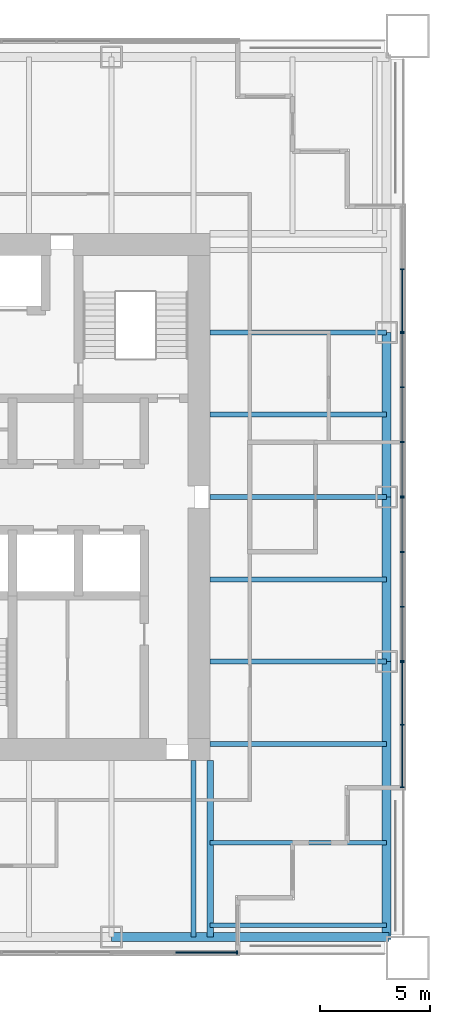
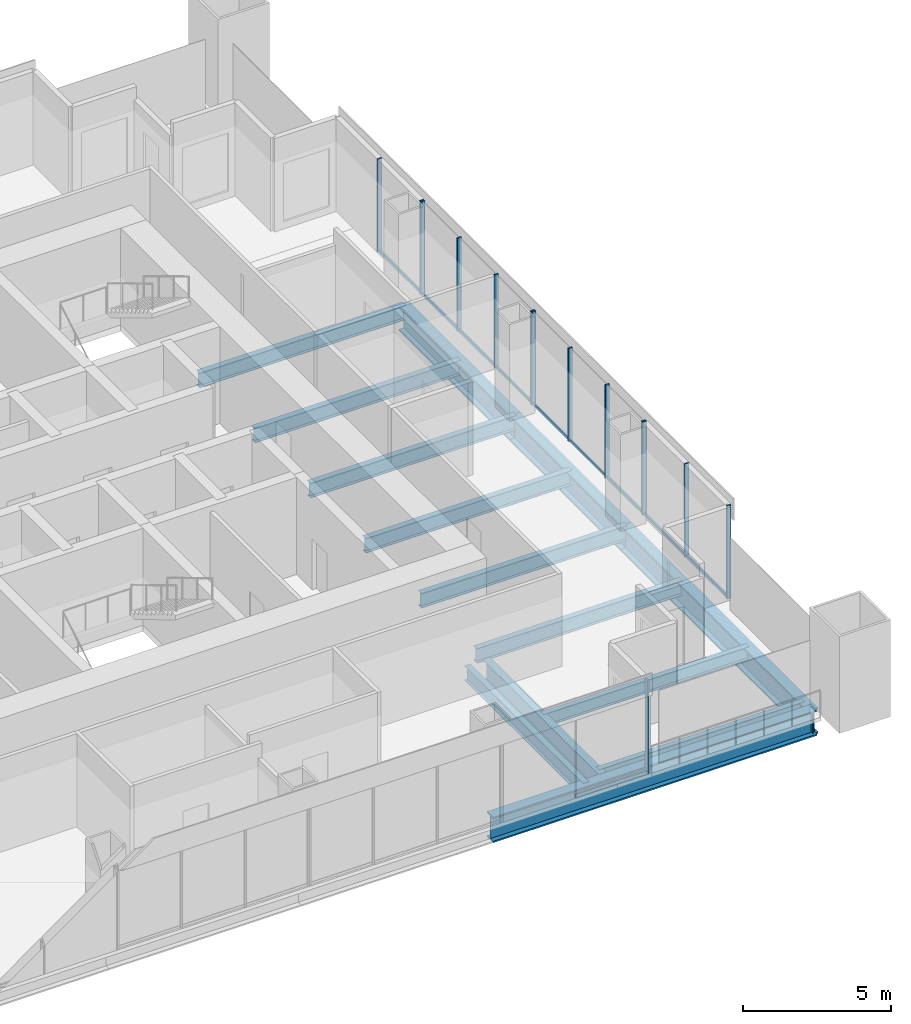
# One storey, part 5 of 14: 24 members, 14 beams, 5 elements without a shape of their own.
"""IFC4 building model written with IfcOpenShell, lengths in metres."""

from ifc_helpers import new_model, si_unit, direction, frame, origin, origin_2d, place, context, subcontext, project, spatial, rectangle, i_section, extrude, material, material_profile, profile_set, type_object, element, aggregate, save


model = new_model("IFC4")

# Units and contexts
model_context = context("Model", 3, precision=1e-05, world=origin(), true_north=direction((0.0, 1.0)))
body_context = subcontext(model_context, "Body", "Model", "MODEL_VIEW")
ifc_project = project(units=[si_unit("LENGTHUNIT", "METRE"), si_unit("AREAUNIT", "SQUARE_METRE"), si_unit("VOLUMEUNIT", "CUBIC_METRE"), si_unit("PLANEANGLEUNIT", "RADIAN"), si_unit("MASSUNIT", "GRAM", prefix="KILO")], contexts=[model_context])

# Site, building, storey
site_placement = place(None, origin())
site = spatial("IfcSite", under=ifc_project, at=site_placement, CompositionType="ELEMENT")
building_placement = place(site_placement, origin())
building = spatial("IfcBuilding", under=site, at=building_placement, Name="Tarangal Relay Tower", CompositionType="ELEMENT")
storey_placement = place(building_placement, frame((0.0, 0.0, 267.89990234375)))
storey = spatial("IfcBuildingStorey", under=building, at=storey_placement, Name="L58", CompositionType="ELEMENT", Elevation=267.89990234375)

# Beams
ifc_material_1 = material(Name="Steel ASTM A992", Category="steel")
ifc_material_profile_1 = material_profile(ifc_material_1, i_section(OverallWidth=0.209228515625, OverallDepth=0.533447265625, WebThickness=0.01025390625, FlangeThickness=0.015625, at=origin_2d()), Name="W21X62")
ifc_profile_set_1 = profile_set([ifc_material_profile_1], Name="Steel ASTM A992")
beam_type_1 = type_object("IfcBeamType", Name="Corner beam W21X62", PredefinedType="JOIST", material=ifc_profile_set_1)
for number, where, z_axis, x_axis, name in (
    (1, (12.0, -15.75, -0.41650390625), (1.0, 0.0, 0.0), (0.0, 1.0, 0.0), "Corner beam CB12 E L58"),
    (2, (12.0, -19.5, -0.41650390625), (1.0, 0.0, 0.0), (0.0, 1.0, 0.0), "Corner beam CB12 E L58"),
):
    element("IfcBeam", number, at=place(storey_placement, frame(where, z_axis=z_axis, x_axis=x_axis)), inside=storey, type_object=beam_type_1, Name=name, PredefinedType="JOIST", context=body_context, shape_type="SweptSolid", body=[
        extrude(i_section(OverallWidth=0.209228515625, OverallDepth=0.533447265625, WebThickness=0.01025390625, FlangeThickness=0.015625, at=origin_2d()), origin(), (0.0, 0.0, 1.0), 8.0400390625),
    ])
ifc_material_profile_2 = material_profile(ifc_material_1, i_section(OverallWidth=0.2919921875, OverallDepth=0.8408203125, WebThickness=0.0146484375, FlangeThickness=0.021728515625, at=origin_2d()), Name="W33X130")
ifc_profile_set_2 = profile_set([ifc_material_profile_2], Name="Steel ASTM A992")
beam_type_2 = type_object("IfcBeamType", Name="Corner girder W33X130", PredefinedType="BEAM", material=ifc_profile_set_2)
beam_placement = place(storey_placement, frame((12.0, -12.0, -0.5703125), z_axis=(0.0, -1.0, 0.0), x_axis=(1.0, 0.0, 0.0)))
element("IfcBeam", 3, at=beam_placement, inside=storey, type_object=beam_type_2, Name="Corner girder CG5 E L58", PredefinedType="BEAM", context=body_context, shape_type="SweptSolid", body=[
    extrude(i_section(OverallWidth=0.2919921875, OverallDepth=0.8408203125, WebThickness=0.0146484375, FlangeThickness=0.021728515625, at=origin_2d()), origin(), (0.0, 0.0, 1.0), 8.0400390625),
])
ifc_material_profile_3 = material_profile(ifc_material_1, i_section(OverallWidth=0.41162109375, OverallDepth=1.049072265625, WebThickness=0.033935546875, FlangeThickness=0.059814453125, at=origin_2d()), Name="W40X431")
ifc_profile_set_3 = profile_set([ifc_material_profile_3], Name="Steel ASTM A992")
beam_type_3 = type_object("IfcBeamType", Name="Edge girder W40X431", PredefinedType="SPANDREL", material=ifc_profile_set_3)
for number, where, z_axis, x_axis, name in (
    (4, (20.0400390625, 7.5, -0.67431640625), (0.0, -1.0, 0.0), (1.0, 0.0, 0.0), "Edge girder EG1 E L58"),
    (5, (20.0400390625, 0.0, -0.67431640625), (0.0, -1.0, 0.0), (1.0, 0.0, 0.0), "Edge girder EG1 E L58"),
):
    element("IfcBeam", number, at=place(storey_placement, frame(where, z_axis=z_axis, x_axis=x_axis)), inside=storey, type_object=beam_type_3, Name=name, PredefinedType="SPANDREL", context=body_context, shape_type="SweptSolid", body=[
        extrude(i_section(OverallWidth=0.41162109375, OverallDepth=1.049072265625, WebThickness=0.033935546875, FlangeThickness=0.059814453125, at=origin_2d()), origin(), (0.0, 0.0, 1.0), 7.5),
    ])
for number, where, z_axis, x_axis, name in (
    (6, (20.0400390625, -7.5, -0.67431640625), (0.0, -1.0, 0.0), (1.0, 0.0, 0.0), "Edge girder EG1 E L58"),
    (7, (20.14990234375, -20.0400390625, -0.67431640625), (-1.0, 0.0, 0.0), (0.0, -1.0, 0.0), "Edge girder EG1 S L58"),
):
    element("IfcBeam", number, at=place(storey_placement, frame(where, z_axis=z_axis, x_axis=x_axis)), inside=storey, type_object=beam_type_3, Name=name, PredefinedType="SPANDREL", context=body_context, shape_type="SweptSolid", body=[
        extrude(i_section(OverallWidth=0.41162109375, OverallDepth=1.049072265625, WebThickness=0.033935546875, FlangeThickness=0.059814453125, at=origin_2d()), origin(), (0.0, 0.0, 1.0), 12.64990234375),
    ])
ifc_material_profile_4 = material_profile(ifc_material_1, i_section(OverallWidth=0.228271484375, OverallDepth=0.607177734375, WebThickness=0.01123046875, FlangeThickness=0.017333984375, at=origin_2d()), Name="W24X76")
ifc_profile_set_4 = profile_set([ifc_material_profile_4], Name="Steel ASTM A992")
beam_type_4 = type_object("IfcBeamType", Name="Floor beam W24X76", PredefinedType="BEAM", material=ifc_profile_set_4)
for number, where, z_axis, x_axis, name in (
    (8, (12.0, 7.5, -0.453369140625), (1.0, 0.0, 0.0), (0.0, 1.0, 0.0), "Floor beam RB5 E L58"),
    (9, (12.0, 3.75, -0.453369140625), (1.0, 0.0, 0.0), (0.0, 1.0, 0.0), "Floor beam RB5 E L58"),
    (10, (12.0, 0.0, -0.453369140625), (1.0, 0.0, 0.0), (0.0, 1.0, 0.0), "Floor beam RB5 E L58"),
    (11, (12.0, -3.75, -0.453369140625), (1.0, 0.0, 0.0), (0.0, 1.0, 0.0), "Floor beam RB5 E L58"),
    (12, (12.0, -7.5, -0.453369140625), (1.0, 0.0, 0.0), (0.0, 1.0, 0.0), "Floor beam RB5 E L58"),
    (13, (12.0, -11.25, -0.453369140625), (1.0, 0.0, 0.0), (0.0, 1.0, 0.0), "Floor beam RB5 E L58"),
    (14, (11.25, -12.0, -0.453369140625), (0.0, -1.0, 0.0), (1.0, 0.0, 0.0), "Floor beam RB5 S L58"),
):
    element("IfcBeam", number, at=place(storey_placement, frame(where, z_axis=z_axis, x_axis=x_axis)), inside=storey, type_object=beam_type_4, Name=name, PredefinedType="BEAM", context=body_context, shape_type="SweptSolid", body=[
        extrude(i_section(OverallWidth=0.228271484375, OverallDepth=0.607177734375, WebThickness=0.01123046875, FlangeThickness=0.017333984375, at=origin_2d()), origin(), (0.0, 0.0, 1.0), 8.0400390625),
    ])

# Curtain wall, members
ifc_material_2 = material(Name="Unitised curtain wall, dark glass and black aluminium", Category="aluminium")
curtain_wall_type_1 = type_object("IfcCurtainWallType", Name="Curtain wall CW-B", PredefinedType="USERDEFINED", material=ifc_material_2)
curtain_wall_1_placement = place(storey_placement, origin())
curtain_wall_1 = element("IfcCurtainWall", 15, at=curtain_wall_1_placement, inside=storey, type_object=curtain_wall_type_1, Name="Curtain wall CW-B E facade L58", ObjectType="UNITISED CURTAIN WALL", PredefinedType="USERDEFINED")
ifc_material_3 = material(Name="Black anodised aluminium mullion", Category="aluminium")
ifc_material_profile_5 = material_profile(ifc_material_3, rectangle(XDim=0.159912109375, YDim=0.06005859375, at=origin_2d()), Name="CW-BM 60X160")
ifc_profile_set_5 = profile_set([ifc_material_profile_5], Name="Black anodised aluminium mullion")
member_type_1 = type_object("IfcMemberType", Name="Mullion CW-B 60 x 160", PredefinedType="MULLION", material=ifc_profile_set_5)
member_1_placement = place(storey_placement, frame((20.75, 7.469970703125, 0.0), z_axis=(0.0, 0.0, 1.0), x_axis=(1.0, 0.0, 0.0)))
member_1 = element("IfcMember", 16, at=member_1_placement, type_object=member_type_1, Name="CW-B mullion 1", PredefinedType="MULLION", context=body_context, shape_type="SweptSolid", body=[
    extrude(rectangle(XDim=0.159912109375, YDim=0.06005859375, at=origin_2d()), origin(), (0.0, 0.0, 1.0), 3.85009765625),
])
member_2_placement = place(storey_placement, frame((20.75, 5.0, 0.0), z_axis=(0.0, 0.0, 1.0), x_axis=(1.0, 0.0, 0.0)))
member_2 = element("IfcMember", 17, at=member_2_placement, type_object=member_type_1, Name="CW-B mullion 2", PredefinedType="MULLION", context=body_context, shape_type="SweptSolid", body=[
    extrude(rectangle(XDim=0.159912109375, YDim=0.06005859375, at=origin_2d()), origin(), (0.0, 0.0, 1.0), 3.85009765625),
])
member_3_placement = place(storey_placement, frame((20.75, 2.5, 0.0), z_axis=(0.0, 0.0, 1.0), x_axis=(1.0, 0.0, 0.0)))
member_3 = element("IfcMember", 18, at=member_3_placement, type_object=member_type_1, Name="CW-B mullion 3", PredefinedType="MULLION", context=body_context, shape_type="SweptSolid", body=[
    extrude(rectangle(XDim=0.159912109375, YDim=0.06005859375, at=origin_2d()), origin(), (0.0, 0.0, 1.0), 3.85009765625),
])
member_4_placement = place(storey_placement, frame((20.75, 0.030029296875, 0.0), z_axis=(0.0, 0.0, 1.0), x_axis=(1.0, 0.0, 0.0)))
member_4 = element("IfcMember", 19, at=member_4_placement, type_object=member_type_1, Name="CW-B mullion 4", PredefinedType="MULLION", context=body_context, shape_type="SweptSolid", body=[
    extrude(rectangle(XDim=0.159912109375, YDim=0.06005859375, at=origin_2d()), origin(), (0.0, 0.0, 1.0), 3.85009765625),
])

curtain_wall_2_placement = place(storey_placement, origin())
curtain_wall_2 = element("IfcCurtainWall", 20, at=curtain_wall_2_placement, inside=storey, type_object=curtain_wall_type_1, Name="Curtain wall CW-B E facade L58", ObjectType="UNITISED CURTAIN WALL", PredefinedType="USERDEFINED")
member_5_placement = place(storey_placement, frame((20.75, -0.030029296875, 0.0), z_axis=(0.0, 0.0, 1.0), x_axis=(1.0, 0.0, 0.0)))
member_5 = element("IfcMember", 21, at=member_5_placement, type_object=member_type_1, Name="CW-B mullion 1", PredefinedType="MULLION", context=body_context, shape_type="SweptSolid", body=[
    extrude(rectangle(XDim=0.159912109375, YDim=0.06005859375, at=origin_2d()), origin(), (0.0, 0.0, 1.0), 3.85009765625),
])
member_6_placement = place(storey_placement, frame((20.75, -2.5, 0.0), z_axis=(0.0, 0.0, 1.0), x_axis=(1.0, 0.0, 0.0)))
member_6 = element("IfcMember", 22, at=member_6_placement, type_object=member_type_1, Name="CW-B mullion 2", PredefinedType="MULLION", context=body_context, shape_type="SweptSolid", body=[
    extrude(rectangle(XDim=0.159912109375, YDim=0.06005859375, at=origin_2d()), origin(), (0.0, 0.0, 1.0), 3.85009765625),
])
member_7_placement = place(storey_placement, frame((20.75, -5.0, 0.0), z_axis=(0.0, 0.0, 1.0), x_axis=(1.0, 0.0, 0.0)))
member_7 = element("IfcMember", 23, at=member_7_placement, type_object=member_type_1, Name="CW-B mullion 3", PredefinedType="MULLION", context=body_context, shape_type="SweptSolid", body=[
    extrude(rectangle(XDim=0.159912109375, YDim=0.06005859375, at=origin_2d()), origin(), (0.0, 0.0, 1.0), 3.85009765625),
])
member_8_placement = place(storey_placement, frame((20.75, -7.469970703125, 0.0), z_axis=(0.0, 0.0, 1.0), x_axis=(1.0, 0.0, 0.0)))
member_8 = element("IfcMember", 24, at=member_8_placement, type_object=member_type_1, Name="CW-B mullion 4", PredefinedType="MULLION", context=body_context, shape_type="SweptSolid", body=[
    extrude(rectangle(XDim=0.159912109375, YDim=0.06005859375, at=origin_2d()), origin(), (0.0, 0.0, 1.0), 3.85009765625),
])

ifc_material_4 = material(Name="Unitised curtain wall frame, black aluminium, with metal clad infill walls", Category="aluminium")
curtain_wall_type_2 = type_object("IfcCurtainWallType", Name="Curtain wall CW-BO", PredefinedType="USERDEFINED", material=ifc_material_4)
curtain_wall_3_placement = place(storey_placement, origin())
curtain_wall_3 = element("IfcCurtainWall", 25, at=curtain_wall_3_placement, inside=storey, type_object=curtain_wall_type_2, Name="Curtain wall CW-BO E facade L58", ObjectType="UNITISED CURTAIN WALL", PredefinedType="USERDEFINED")
ifc_material_profile_6 = material_profile(ifc_material_3, rectangle(XDim=0.159912109375, YDim=0.06005859375, at=origin_2d()), Name="CW-BOM 60X160")
ifc_profile_set_6 = profile_set([ifc_material_profile_6], Name="Black anodised aluminium mullion")
member_type_2 = type_object("IfcMemberType", Name="Mullion CW-BO 60 x 160", PredefinedType="MULLION", material=ifc_profile_set_6)
member_9_placement = place(storey_placement, frame((20.75, 10.375, 0.0), z_axis=(0.0, 0.0, 1.0), x_axis=(1.0, 0.0, 0.0)))
member_9 = element("IfcMember", 26, at=member_9_placement, type_object=member_type_2, Name="CW-BO mullion 2", PredefinedType="MULLION", context=body_context, shape_type="SweptSolid", body=[
    extrude(rectangle(XDim=0.159912109375, YDim=0.06005859375, at=origin_2d()), origin(), (0.0, 0.0, 1.0), 3.85009765625),
])
member_10_placement = place(storey_placement, frame((20.75, 7.530029296875, 0.0), z_axis=(0.0, 0.0, 1.0), x_axis=(1.0, 0.0, 0.0)))
member_10 = element("IfcMember", 27, at=member_10_placement, type_object=member_type_2, Name="CW-BO mullion 3", PredefinedType="MULLION", context=body_context, shape_type="SweptSolid", body=[
    extrude(rectangle(XDim=0.159912109375, YDim=0.06005859375, at=origin_2d()), origin(), (0.0, 0.0, 1.0), 3.85009765625),
])

curtain_wall_4_placement = place(storey_placement, origin())
curtain_wall_4 = element("IfcCurtainWall", 28, at=curtain_wall_4_placement, inside=storey, type_object=curtain_wall_type_2, Name="Curtain wall CW-BO E facade L58", ObjectType="UNITISED CURTAIN WALL", PredefinedType="USERDEFINED")
member_11_placement = place(storey_placement, frame((20.75, -7.530029296875, 0.0), z_axis=(0.0, 0.0, 1.0), x_axis=(1.0, 0.0, 0.0)))
member_11 = element("IfcMember", 29, at=member_11_placement, type_object=member_type_2, Name="CW-BO mullion 1", PredefinedType="MULLION", context=body_context, shape_type="SweptSolid", body=[
    extrude(rectangle(XDim=0.159912109375, YDim=0.06005859375, at=origin_2d()), origin(), (0.0, 0.0, 1.0), 3.85009765625),
])
member_12_placement = place(storey_placement, frame((20.75, -10.375, 0.0), z_axis=(0.0, 0.0, 1.0), x_axis=(1.0, 0.0, 0.0)))
member_12 = element("IfcMember", 30, at=member_12_placement, type_object=member_type_2, Name="CW-BO mullion 2", PredefinedType="MULLION", context=body_context, shape_type="SweptSolid", body=[
    extrude(rectangle(XDim=0.159912109375, YDim=0.06005859375, at=origin_2d()), origin(), (0.0, 0.0, 1.0), 3.85009765625),
])
member_13_placement = place(storey_placement, frame((20.75, -13.219970703125, 0.0), z_axis=(0.0, 0.0, 1.0), x_axis=(1.0, 0.0, 0.0)))
member_13 = element("IfcMember", 31, at=member_13_placement, type_object=member_type_2, Name="CW-BO mullion 3", PredefinedType="MULLION", context=body_context, shape_type="SweptSolid", body=[
    extrude(rectangle(XDim=0.159912109375, YDim=0.06005859375, at=origin_2d()), origin(), (0.0, 0.0, 1.0), 3.85009765625),
])

# Curtain wall, member
curtain_wall_5_placement = place(storey_placement, origin())
curtain_wall_5 = element("IfcCurtainWall", 32, at=curtain_wall_5_placement, inside=storey, type_object=curtain_wall_type_2, Name="Curtain wall CW-BO S facade L58", ObjectType="UNITISED CURTAIN WALL", PredefinedType="USERDEFINED")
member_14_placement = place(storey_placement, frame((13.219970703125, -20.75, 0.0), z_axis=(0.0, 0.0, 1.0), x_axis=(0.0, -1.0, 0.0)))
member_14 = element("IfcMember", 33, at=member_14_placement, type_object=member_type_2, Name="CW-BO mullion 1", PredefinedType="MULLION", context=body_context, shape_type="SweptSolid", body=[
    extrude(rectangle(XDim=0.159912109375, YDim=0.06005859375, at=origin_2d()), origin(), (0.0, 0.0, 1.0), 3.85009765625),
])

# Member
ifc_material_5 = material(Name="Black anodised aluminium transom", Category="aluminium")
ifc_material_profile_7 = material_profile(ifc_material_5, rectangle(XDim=0.06005859375, YDim=0.1298828125, at=origin_2d()), Name="CW-BT 60X130")
ifc_profile_set_7 = profile_set([ifc_material_profile_7], Name="Black anodised aluminium transom")
member_type_3 = type_object("IfcMemberType", Name="Transom CW-B 60 x 130", PredefinedType="USERDEFINED", material=ifc_profile_set_7)
member_15_placement = place(storey_placement, frame((20.75, 7.43994140625, 0.030029296875), z_axis=(0.0, -1.0, 0.0), x_axis=(1.0, 0.0, 0.0)))
member_15 = element("IfcMember", 34, at=member_15_placement, type_object=member_type_3, Name="CW-B transom 1.1", ObjectType="TRANSOM", PredefinedType="USERDEFINED", context=body_context, shape_type="SweptSolid", body=[
    extrude(rectangle(XDim=0.06005859375, YDim=0.1298828125, at=origin_2d()), origin(), (0.0, 0.0, 1.0), 2.409912109375),
])

member_16_placement = place(storey_placement, frame((20.75, 4.969970703125, 0.030029296875), z_axis=(0.0, -1.0, 0.0), x_axis=(1.0, 0.0, 0.0)))
member_16 = element("IfcMember", 35, at=member_16_placement, type_object=member_type_3, Name="CW-B transom 2.1", ObjectType="TRANSOM", PredefinedType="USERDEFINED", context=body_context, shape_type="SweptSolid", body=[
    extrude(rectangle(XDim=0.06005859375, YDim=0.1298828125, at=origin_2d()), origin(), (0.0, 0.0, 1.0), 2.43994140625),
])

member_17_placement = place(storey_placement, frame((20.75, 2.469970703125, 0.030029296875), z_axis=(0.0, -1.0, 0.0), x_axis=(1.0, 0.0, 0.0)))
member_17 = element("IfcMember", 36, at=member_17_placement, type_object=member_type_3, Name="CW-B transom 3.1", ObjectType="TRANSOM", PredefinedType="USERDEFINED", context=body_context, shape_type="SweptSolid", body=[
    extrude(rectangle(XDim=0.06005859375, YDim=0.1298828125, at=origin_2d()), origin(), (0.0, 0.0, 1.0), 2.409912109375),
])

aggregate(curtain_wall_1, [member_1, member_2, member_3, member_4, member_15, member_16, member_17])

member_18_placement = place(storey_placement, frame((20.75, -0.06005859375, 0.030029296875), z_axis=(0.0, -1.0, 0.0), x_axis=(1.0, 0.0, 0.0)))
member_18 = element("IfcMember", 37, at=member_18_placement, type_object=member_type_3, Name="CW-B transom 1.1", ObjectType="TRANSOM", PredefinedType="USERDEFINED", context=body_context, shape_type="SweptSolid", body=[
    extrude(rectangle(XDim=0.06005859375, YDim=0.1298828125, at=origin_2d()), origin(), (0.0, 0.0, 1.0), 2.409912109375),
])

member_19_placement = place(storey_placement, frame((20.75, -2.530029296875, 0.030029296875), z_axis=(0.0, -1.0, 0.0), x_axis=(1.0, 0.0, 0.0)))
member_19 = element("IfcMember", 38, at=member_19_placement, type_object=member_type_3, Name="CW-B transom 2.1", ObjectType="TRANSOM", PredefinedType="USERDEFINED", context=body_context, shape_type="SweptSolid", body=[
    extrude(rectangle(XDim=0.06005859375, YDim=0.1298828125, at=origin_2d()), origin(), (0.0, 0.0, 1.0), 2.43994140625),
])

member_20_placement = place(storey_placement, frame((20.75, -5.030029296875, 0.030029296875), z_axis=(0.0, -1.0, 0.0), x_axis=(1.0, 0.0, 0.0)))
member_20 = element("IfcMember", 39, at=member_20_placement, type_object=member_type_3, Name="CW-B transom 3.1", ObjectType="TRANSOM", PredefinedType="USERDEFINED", context=body_context, shape_type="SweptSolid", body=[
    extrude(rectangle(XDim=0.06005859375, YDim=0.1298828125, at=origin_2d()), origin(), (0.0, 0.0, 1.0), 2.409912109375),
])

aggregate(curtain_wall_2, [member_5, member_6, member_7, member_8, member_18, member_19, member_20])

ifc_material_profile_8 = material_profile(ifc_material_5, rectangle(XDim=0.06005859375, YDim=0.1298828125, at=origin_2d()), Name="CW-BOT 60X130")
ifc_profile_set_8 = profile_set([ifc_material_profile_8], Name="Black anodised aluminium transom")
member_type_4 = type_object("IfcMemberType", Name="Transom CW-BO 60 x 130", PredefinedType="USERDEFINED", material=ifc_profile_set_8)
member_21_placement = place(storey_placement, frame((20.75, 10.344970703125, 0.030029296875), z_axis=(0.0, -1.0, 0.0), x_axis=(1.0, 0.0, 0.0)))
member_21 = element("IfcMember", 40, at=member_21_placement, type_object=member_type_4, Name="CW-BO transom 2.1", ObjectType="TRANSOM", PredefinedType="USERDEFINED", context=body_context, shape_type="SweptSolid", body=[
    extrude(rectangle(XDim=0.06005859375, YDim=0.1298828125, at=origin_2d()), origin(), (0.0, 0.0, 1.0), 2.784912109375),
])

aggregate(curtain_wall_3, [member_9, member_10, member_21])

member_22_placement = place(storey_placement, frame((20.75, -7.56005859375, 0.030029296875), z_axis=(0.0, -1.0, 0.0), x_axis=(1.0, 0.0, 0.0)))
member_22 = element("IfcMember", 41, at=member_22_placement, type_object=member_type_4, Name="CW-BO transom 1.1", ObjectType="TRANSOM", PredefinedType="USERDEFINED", context=body_context, shape_type="SweptSolid", body=[
    extrude(rectangle(XDim=0.06005859375, YDim=0.1298828125, at=origin_2d()), origin(), (0.0, 0.0, 1.0), 2.784912109375),
])

member_23_placement = place(storey_placement, frame((20.75, -10.405029296875, 0.030029296875), z_axis=(0.0, -1.0, 0.0), x_axis=(1.0, 0.0, 0.0)))
member_23 = element("IfcMember", 42, at=member_23_placement, type_object=member_type_4, Name="CW-BO transom 2.1", ObjectType="TRANSOM", PredefinedType="USERDEFINED", context=body_context, shape_type="SweptSolid", body=[
    extrude(rectangle(XDim=0.06005859375, YDim=0.1298828125, at=origin_2d()), origin(), (0.0, 0.0, 1.0), 2.784912109375),
])

aggregate(curtain_wall_4, [member_11, member_12, member_13, member_22, member_23])

member_24_placement = place(storey_placement, frame((13.18994140625, -20.75, 0.030029296875), z_axis=(-1.0, 0.0, 0.0), x_axis=(0.0, -1.0, 0.0)))
member_24 = element("IfcMember", 43, at=member_24_placement, type_object=member_type_4, Name="CW-BO transom 1.1", ObjectType="TRANSOM", PredefinedType="USERDEFINED", context=body_context, shape_type="SweptSolid", body=[
    extrude(rectangle(XDim=0.06005859375, YDim=0.1298828125, at=origin_2d()), origin(), (0.0, 0.0, 1.0), 2.784912109375),
])

aggregate(curtain_wall_5, [member_14, member_24])

save(model, "model.ifc")
